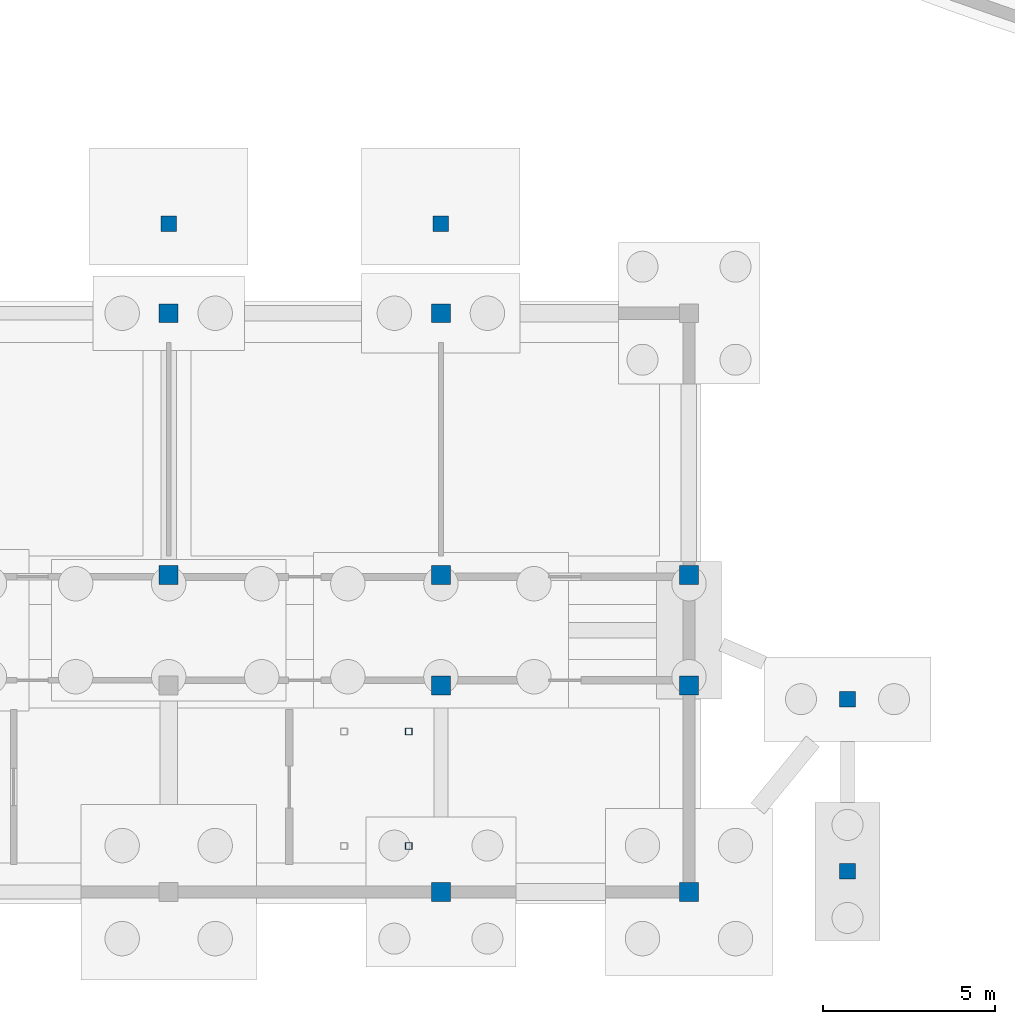
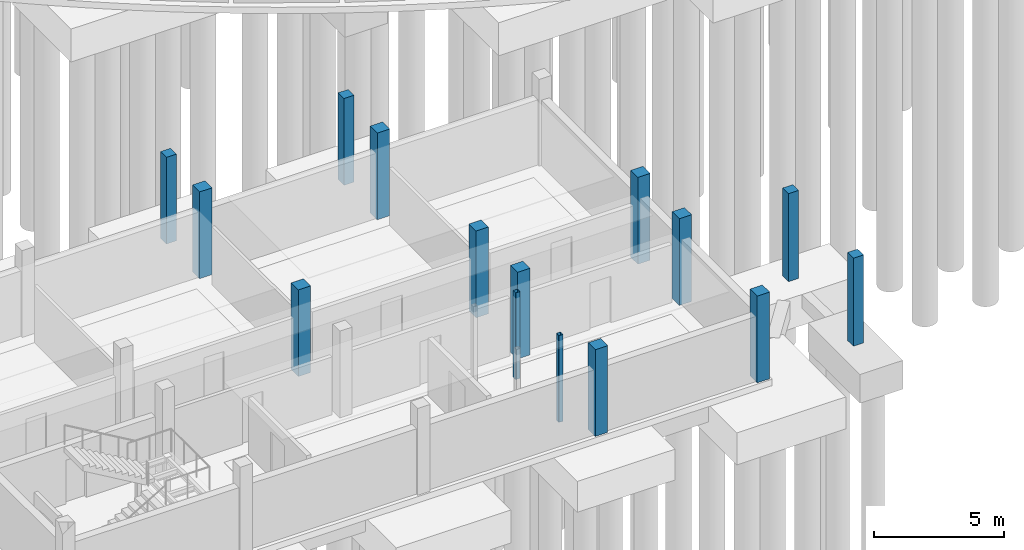
# One storey, part 10 of 58: 15 columns.
"""IFC4 building model written with IfcOpenShell, lengths in metres."""

from ifc_helpers import new_model, si_unit, direction, frame, origin, origin_2d, place, context, subcontext, project, spatial, rectangle, hollow_rectangle, extrude, material, material_profile, profile_set, type_object, element, save


model = new_model("IFC4")

# Units and contexts
model_context = context("Model", 3, precision=1e-05, world=origin(), true_north=direction((0.0, 1.0)))
body_context = subcontext(model_context, "Body", "Model", "MODEL_VIEW")
ifc_project = project(units=[si_unit("LENGTHUNIT", "METRE"), si_unit("AREAUNIT", "SQUARE_METRE"), si_unit("VOLUMEUNIT", "CUBIC_METRE"), si_unit("PLANEANGLEUNIT", "RADIAN"), si_unit("MASSUNIT", "GRAM", prefix="KILO")], contexts=[model_context])

# Site, building, storey
site_placement = place(None, origin())
site = spatial("IfcSite", under=ifc_project, at=site_placement, CompositionType="ELEMENT")
building_placement = place(site_placement, origin())
building = spatial("IfcBuilding", under=site, at=building_placement, Name="Caldaven Crescent School", CompositionType="ELEMENT")
storey_placement = place(building_placement, frame((0.0, 0.0, -4.080078125)))
storey = spatial("IfcBuildingStorey", under=building, at=storey_placement, Name="B1", CompositionType="ELEMENT", Elevation=-4.080078125)

# Columns
ifc_material_1 = material(Name="Steel ASTM A572 Grade 50", Category="steel")
ifc_material_profile_1 = material_profile(ifc_material_1, hollow_rectangle(XDim=0.199951171875, YDim=0.199951171875, WallThickness=0.010009765625, InnerFilletRadius=0.010009765625, OuterFilletRadius=0.02001953125, at=origin_2d()), Name="HSS 200x200x10")
ifc_profile_set_1 = profile_set([ifc_material_profile_1], Name="Steel ASTM A572 Grade 50")
column_type_1 = type_object("IfcColumnType", Name="COL-HS20", PredefinedType="COLUMN", material=ifc_profile_set_1)
for number, where, z_axis, x_axis, name in (
    (1, (48.27001953125, 5.5400390625, 0.0), (0.0, 0.0, 1.0), (1.0, 0.0, 0.0), "COL-STPOST-STV4S-B1-C"),
    (2, (48.27001953125, 8.860107421875, 0.0), (0.0, 0.0, 1.0), (1.0, 0.0, 0.0), "COL-STPOST-STV4S-B1-D"),
):
    element("IfcColumn", number, at=place(storey_placement, frame(where, z_axis=z_axis, x_axis=x_axis)), inside=storey, type_object=column_type_1, Name=name, PredefinedType="COLUMN", context=body_context, shape_type="SweptSolid", body=[
        extrude(hollow_rectangle(XDim=0.199951171875, YDim=0.199951171875, WallThickness=0.010009765625, InnerFilletRadius=0.010009765625, OuterFilletRadius=0.02001953125, at=origin_2d()), origin(), (0.0, 0.0, 1.0), 4.080078125),
    ])
ifc_material_2 = material(Name="Concrete C35/45", Category="concrete")
ifc_material_profile_2 = material_profile(ifc_material_2, rectangle(XDim=0.449951171875, YDim=0.449951171875, at=origin_2d()), Name="RC 450x450")
ifc_profile_set_2 = profile_set([ifc_material_profile_2], Name="Concrete C35/45")
column_type_2 = type_object("IfcColumnType", Name="COL-RC45", PredefinedType="COLUMN", material=ifc_profile_set_2)
for number, where, z_axis, x_axis, name in (
    (3, (41.300048828125, 23.60009765625, 0.0), (0.0, 0.0, 1.0), (1.0, 0.0, 0.0), "COL-CAN-3-W-B1"),
    (4, (49.199951171875, 23.60009765625, 0.0), (0.0, 0.0, 1.0), (1.0, 0.0, 0.0), "COL-CAN-3-E-B1"),
):
    element("IfcColumn", number, at=place(storey_placement, frame(where, z_axis=z_axis, x_axis=x_axis)), inside=storey, type_object=column_type_2, Name=name, PredefinedType="COLUMN", context=body_context, shape_type="SweptSolid", body=[
        extrude(rectangle(XDim=0.449951171875, YDim=0.449951171875, at=origin_2d()), origin(), (0.0, 0.0, 1.0), 4.080078125),
    ])
for number, where, z_axis, x_axis, name in (
    (5, (61.0, 4.800048828125, -0.2998046875), (0.0, 0.0, 1.0), (1.0, 0.0, 0.0), "COL-LOOP-B1-0-S"),
    (6, (61.0, 9.800048828125, -0.2998046875), (0.0, 0.0, 1.0), (1.0, 0.0, 0.0), "COL-LOOP-B1-0-N"),
):
    element("IfcColumn", number, at=place(storey_placement, frame(where, z_axis=z_axis, x_axis=x_axis)), inside=storey, type_object=column_type_2, Name=name, PredefinedType="COLUMN", context=body_context, shape_type="SweptSolid", body=[
        extrude(rectangle(XDim=0.449951171875, YDim=0.449951171875, at=origin_2d()), origin(), (0.0, 0.0, 1.0), 4.139892578125),
    ])
ifc_material_profile_3 = material_profile(ifc_material_2, rectangle(XDim=0.550048828125, YDim=0.550048828125, at=origin_2d()), Name="RC 550x550")
ifc_profile_set_3 = profile_set([ifc_material_profile_3], Name="Concrete C35/45")
column_type_3 = type_object("IfcColumnType", Name="COL-RC55", PredefinedType="COLUMN", material=ifc_profile_set_3)
for number, where, z_axis, x_axis, name in (
    (7, (41.300048828125, 13.39990234375, 0.0), (0.0, 0.0, 1.0), (1.0, 0.0, 0.0), "COL-V4S-B1-2-2"),
    (8, (41.300048828125, 21.0, 0.0), (0.0, 0.0, 1.0), (1.0, 0.0, 0.0), "COL-V4S-B1-2-3"),
    (9, (49.199951171875, 4.199951171875, 0.0), (0.0, 0.0, 1.0), (1.0, 0.0, 0.0), "COL-V4S-B1-3-0"),
    (10, (49.199951171875, 10.199951171875, 0.0), (0.0, 0.0, 1.0), (1.0, 0.0, 0.0), "COL-V4S-B1-3-1"),
    (11, (49.199951171875, 13.39990234375, 0.0), (0.0, 0.0, 1.0), (1.0, 0.0, 0.0), "COL-V4S-B1-3-2"),
    (12, (49.199951171875, 21.0, 0.0), (0.0, 0.0, 1.0), (1.0, 0.0, 0.0), "COL-V4S-B1-3-3"),
    (13, (56.39990234375, 4.199951171875, 0.0), (0.0, 0.0, 1.0), (1.0, 0.0, 0.0), "COL-V4S-B1-4-0"),
    (14, (56.39990234375, 10.199951171875, 0.0), (0.0, 0.0, 1.0), (1.0, 0.0, 0.0), "COL-V4S-B1-4-1"),
    (15, (56.39990234375, 13.39990234375, 0.0), (0.0, 0.0, 1.0), (1.0, 0.0, 0.0), "COL-V4S-B1-4-2"),
):
    element("IfcColumn", number, at=place(storey_placement, frame(where, z_axis=z_axis, x_axis=x_axis)), inside=storey, type_object=column_type_3, Name=name, PredefinedType="COLUMN", context=body_context, shape_type="SweptSolid", body=[
        extrude(rectangle(XDim=0.550048828125, YDim=0.550048828125, at=origin_2d()), origin(), (0.0, 0.0, 1.0), 4.080078125),
    ])

save(model, "model.ifc")
